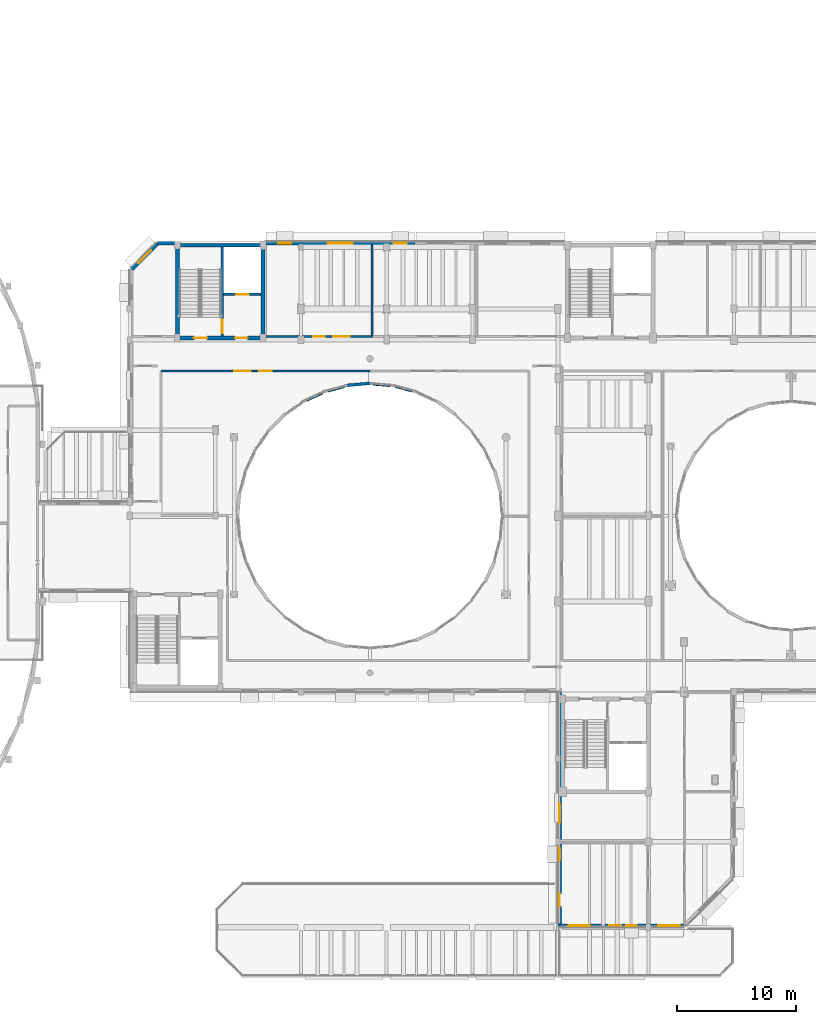
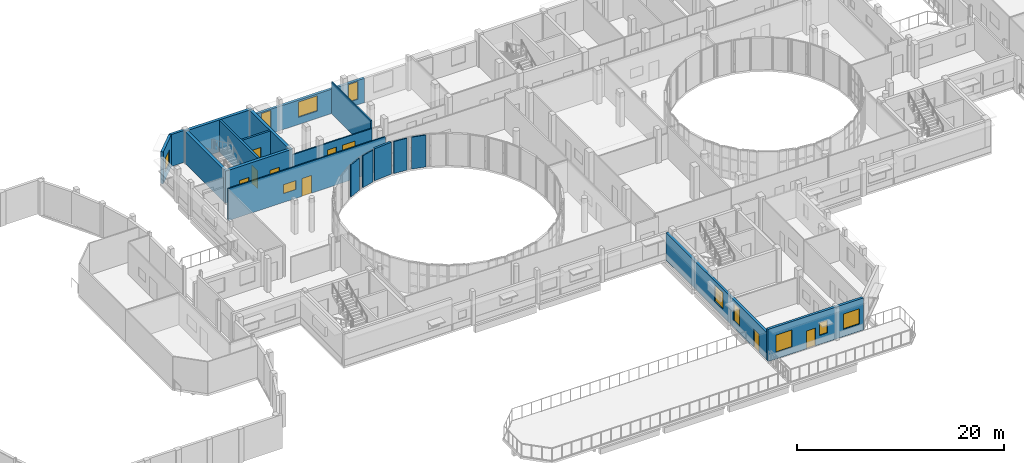
# One storey, part 67 of 92: 19 walls, 11 windows, 8 doors, 19 openings.
"""IFC4 building model written with IfcOpenShell, lengths in metres."""

from ifc_helpers import new_model, si_unit, direction, frame, frame_2d, origin, place, context, subcontext, project, spatial, rectangle, extrude, material, layer, layer_set, type_object, element, fill, save


model = new_model("IFC4")

# Units and contexts
model_context = context("Model", 3, precision=1e-05, world=origin(), true_north=direction((0.0, 1.0)))
body_context = subcontext(model_context, "Body", "Model", "MODEL_VIEW")
ifc_project = project(units=[si_unit("LENGTHUNIT", "METRE"), si_unit("AREAUNIT", "SQUARE_METRE"), si_unit("VOLUMEUNIT", "CUBIC_METRE"), si_unit("PLANEANGLEUNIT", "RADIAN"), si_unit("MASSUNIT", "GRAM", prefix="KILO")], contexts=[model_context])

# Site, building, storey
site_placement = place(None, origin())
site = spatial("IfcSite", under=ifc_project, at=site_placement, CompositionType="ELEMENT")
building_placement = place(site_placement, origin())
building = spatial("IfcBuilding", under=site, at=building_placement, Name="Kelanivale Promenade Academy", CompositionType="ELEMENT")
storey_placement = place(building_placement, frame((0.0, 0.0, 8.199951171875)))
storey = spatial("IfcBuildingStorey", under=building, at=storey_placement, Name="L02", CompositionType="ELEMENT", Elevation=8.199951171875)

# Wall, openings, doors
ifc_material_1 = material(Name="Concrete C40/50", Category="concrete")
ifc_layer_1 = layer(ifc_material_1, 0.330078125)
ifc_layer_set_1 = layer_set([ifc_layer_1], Name="Concrete C40/50")
wall_type_1 = type_object("IfcWallType", Name="CW-S1 Wall 330mm", PredefinedType="SHEAR", material=ifc_layer_set_1)
wall_1_placement = place(storey_placement, frame((47.034912109375, 71.75, 0.0), z_axis=(0.0, 0.0, 1.0), x_axis=(1.0, 0.0, 0.0)))
wall_1 = element("IfcWall", 1, at=wall_1_placement, inside=storey, type_object=wall_type_1, Name="CORE-4 RC shear wall S L02", PredefinedType="SHEAR", context=body_context, shape_type="SweptSolid", body=[
    extrude(rectangle(XDim=7.530029296875, YDim=0.330078125, at=frame_2d((3.76513671875, 0.0))), origin(), (0.0, 0.0, 1.0), 3.780029296875),
])
opening_1_placement = place(wall_1_placement, frame((5.014892578125, 0.0, 0.0)))
opening_1 = element("IfcOpeningElement", 2, at=opening_1_placement, cuts=wall_1, Name="Opening FD-CORE-4-LB-L02", PredefinedType="OPENING", context=body_context, shape_type="SweptSolid", body=[
    extrude(rectangle(XDim=1.050048828125, YDim=2.14990234375, at=frame_2d((0.52490234375, 1.074951171875))), frame((0.0, 0.175048828125, 0.0), z_axis=(0.0, -1.0, 0.0), x_axis=(1.0, 0.0, 0.0)), (0.0, 0.0, 1.0), 0.35009765625),
])
opening_2_placement = place(wall_1_placement, frame((1.56494140625, 0.0, 0.0)))
opening_2 = element("IfcOpeningElement", 3, at=opening_2_placement, cuts=wall_1, Name="Opening FD-CORE-4-ST-L02", PredefinedType="OPENING", context=body_context, shape_type="SweptSolid", body=[
    extrude(rectangle(XDim=1.10009765625, YDim=2.14990234375, at=frame_2d((0.550048828125, 1.074951171875))), frame((0.0, 0.175048828125, 0.0), z_axis=(0.0, -1.0, 0.0), x_axis=(1.0, 0.0, 0.0)), (0.0, 0.0, 1.0), 0.35009765625),
])
ifc_material_2 = material(Name="Fire-rated steel-core teak veneer", Category="steel")
door_type_1 = type_object("IfcDoorType", Name="DT-F01 Door 1100x2150", OperationType="NOTDEFINED", PredefinedType="DOOR", material=ifc_material_2)
door_1_placement = place(opening_2_placement, frame((1.10009765625, 0.0, 0.0), z_axis=(0.0, 0.0, 1.0), x_axis=(-1.0, 0.0, 0.0)))
door_1 = element("IfcDoor", 4, at=door_1_placement, inside=storey, type_object=door_type_1, Name="CORE-4 protected stair fire door L02", OperationType="SINGLE_SWING_LEFT", OverallHeight=2.14990234375, OverallWidth=1.10009765625, PredefinedType="DOOR", context=body_context, shape_type="SweptSolid", body=[
    extrude(rectangle(XDim=1.10009765625, YDim=2.14990234375, at=frame_2d((0.550048828125, 1.074951171875))), frame((0.0, 0.02490234375, 0.0), z_axis=(0.0, -1.0, 0.0), x_axis=(1.0, 0.0, 0.0)), (0.0, 0.0, 1.0), 0.050048828125),
])
fill(opening_2, door_1)
door_type_2 = type_object("IfcDoorType", Name="DT-F03 Door 1050x2150", OperationType="NOTDEFINED", PredefinedType="DOOR", material=ifc_material_2)
door_2_placement = place(opening_1_placement, origin())
door_2 = element("IfcDoor", 5, at=door_2_placement, inside=storey, type_object=door_type_2, Name="CORE-4 corridor-to-lobby fire door L02", OperationType="SINGLE_SWING_RIGHT", OverallHeight=2.14990234375, OverallWidth=1.050048828125, PredefinedType="DOOR", context=body_context, shape_type="SweptSolid", body=[
    extrude(rectangle(XDim=1.050048828125, YDim=2.14990234375, at=frame_2d((0.52490234375, 1.074951171875))), frame((0.0, 0.02490234375, 0.0), z_axis=(0.0, -1.0, 0.0), x_axis=(1.0, 0.0, 0.0)), (0.0, 0.0, 1.0), 0.050048828125),
])
fill(opening_1, door_2)

# Walls
wall_2_placement = place(storey_placement, frame((47.034912109375, 79.550048828125, 0.0), z_axis=(0.0, 0.0, 1.0), x_axis=(1.0, 0.0, 0.0)))
element("IfcWall", 6, at=wall_2_placement, inside=storey, type_object=wall_type_1, Name="CORE-4 RC shear wall N L02", PredefinedType="SHEAR", context=body_context, shape_type="SweptSolid", body=[
    extrude(rectangle(XDim=7.530029296875, YDim=0.330078125, at=frame_2d((3.76513671875, 0.0))), origin(), (0.0, 0.0, 1.0), 3.780029296875),
])
for number, where, z_axis, x_axis, name in (
    (7, (47.199951171875, 71.9150390625, 0.0), (0.0, 0.0, 1.0), (0.0, 1.0, 0.0), "CORE-4 RC shear wall W L02"),
    (8, (54.39990234375, 71.9150390625, 0.0), (0.0, 0.0, 1.0), (0.0, 1.0, 0.0), "CORE-4 RC shear wall E L02"),
):
    element("IfcWall", number, at=place(storey_placement, frame(where, z_axis=z_axis, x_axis=x_axis)), inside=storey, type_object=wall_type_1, Name=name, PredefinedType="SHEAR", context=body_context, shape_type="SweptSolid", body=[
        extrude(rectangle(XDim=7.469970703125, YDim=0.330078125, at=frame_2d((3.73486328125, 0.0))), origin(), (0.0, 0.0, 1.0), 3.780029296875),
    ])

# Wall, opening, door
ifc_layer_2 = layer(ifc_material_1, 0.22509765625)
ifc_layer_set_2 = layer_set([ifc_layer_2], Name="Concrete C40/50")
wall_type_2 = type_object("IfcWallType", Name="CW-S2 Wall 225mm", PredefinedType="SHEAR", material=ifc_layer_set_2)
wall_3_placement = place(storey_placement, frame((51.0849609375, 75.419921875, 0.0), z_axis=(0.0, 0.0, 1.0), x_axis=(1.0, 0.0, 0.0)))
wall_3 = element("IfcWall", 9, at=wall_3_placement, inside=storey, type_object=wall_type_2, Name="CORE-4 lift shaft front RC wall L02", PredefinedType="SHEAR", context=body_context, shape_type="SweptSolid", body=[
    extrude(rectangle(XDim=3.150146484375, YDim=0.22509765625, at=frame_2d((1.5751953125, 0.0))), origin(), (0.0, 0.0, 1.0), 3.780029296875),
])
opening_3_placement = place(wall_3_placement, frame((1.050048828125, 0.0, 0.0)))
opening_3 = element("IfcOpeningElement", 10, at=opening_3_placement, cuts=wall_3, Name="Opening LD-LF-P2-L02", PredefinedType="OPENING", context=body_context, shape_type="SweptSolid", body=[
    extrude(rectangle(XDim=1.050048828125, YDim=2.199951171875, at=frame_2d((0.52490234375, 1.10009765625))), frame((0.0, 0.12255859375, 0.0), z_axis=(0.0, -1.0, 0.0), x_axis=(1.0, 0.0, 0.0)), (0.0, 0.0, 1.0), 0.2451171875),
])
door_type_3 = type_object("IfcDoorType", Name="LD-PL1 Door 1050x2200", OperationType="NOTDEFINED", PredefinedType="DOOR", material=ifc_material_2)
door_3_placement = place(opening_3_placement, origin())
door_3 = element("IfcDoor", 11, at=door_3_placement, inside=storey, type_object=door_type_3, Name="Passenger lift landing door LD-LF-P2-L02", OperationType="SLIDING_TO_LEFT", OverallHeight=2.199951171875, OverallWidth=1.050048828125, PredefinedType="DOOR", context=body_context, shape_type="SweptSolid", body=[
    extrude(rectangle(XDim=1.050048828125, YDim=2.199951171875, at=frame_2d((0.52490234375, 1.10009765625))), frame((0.0, 0.02490234375, 0.0), z_axis=(0.0, -1.0, 0.0), x_axis=(1.0, 0.0, 0.0)), (0.0, 0.0, 1.0), 0.050048828125),
])
fill(opening_3, door_3)

ifc_layer_3 = layer(ifc_material_1, 0.219970703125)
ifc_layer_set_3 = layer_set([ifc_layer_3], Name="Concrete C40/50")
wall_type_3 = type_object("IfcWallType", Name="CW-S3 Wall 220mm", PredefinedType="SHEAR", material=ifc_layer_set_3)
wall_4_placement = place(storey_placement, frame((50.97509765625, 71.9150390625, 0.0), z_axis=(0.0, 0.0, 1.0), x_axis=(0.0, 1.0, 0.0)))
wall_4 = element("IfcWall", 12, at=wall_4_placement, inside=storey, type_object=wall_type_3, Name="CORE-4 stair-lobby dividing RC wall L02", PredefinedType="SHEAR", context=body_context, shape_type="SweptSolid", body=[
    extrude(rectangle(XDim=7.469970703125, YDim=0.219970703125, at=frame_2d((3.73486328125, 0.0))), origin(), (0.0, 0.0, 1.0), 3.780029296875),
])
opening_4_placement = place(wall_4_placement, frame((0.25, 0.0, 0.0)))
opening_4 = element("IfcOpeningElement", 13, at=opening_4_placement, cuts=wall_4, Name="Opening FD-CORE-4-SL-L02", PredefinedType="OPENING", context=body_context, shape_type="SweptSolid", body=[
    extrude(rectangle(XDim=1.10009765625, YDim=2.14990234375, at=frame_2d((0.550048828125, 1.074951171875))), frame((0.0, 0.1201171875, 0.0), z_axis=(0.0, -1.0, 0.0), x_axis=(1.0, 0.0, 0.0)), (0.0, 0.0, 1.0), 0.239990234375),
])
door_4_placement = place(opening_4_placement, origin())
door_4 = element("IfcDoor", 14, at=door_4_placement, inside=storey, type_object=door_type_1, Name="CORE-4 lobby-to-stair fire door L02", OperationType="SINGLE_SWING_LEFT", OverallHeight=2.14990234375, OverallWidth=1.10009765625, PredefinedType="DOOR", context=body_context, shape_type="SweptSolid", body=[
    extrude(rectangle(XDim=1.10009765625, YDim=2.14990234375, at=frame_2d((0.550048828125, 1.074951171875))), frame((0.0, 0.02490234375, 0.0), z_axis=(0.0, -1.0, 0.0), x_axis=(1.0, 0.0, 0.0)), (0.0, 0.0, 1.0), 0.050048828125),
])
fill(opening_4, door_4)

# Wall, openings, windows
ifc_material_3 = material(Name="Insulated ivory stucco masonry wall 280 mm", Category="masonry")
ifc_layer_4 = layer(ifc_material_3, 0.280029296875)
ifc_layer_set_4 = layer_set([ifc_layer_4], Name="Insulated ivory stucco masonry wall 280 mm")
wall_type_4 = type_object("IfcWallType", Name="EW-02 Wall 280mm", PredefinedType="SOLIDWALL", material=ifc_layer_set_4)
wall_5_placement = place(storey_placement, frame((67.199951171875, 79.7099609375, 0.0), z_axis=(0.0, 0.0, 1.0), x_axis=(-1.0, 0.0, 0.0)))
wall_5 = element("IfcWall", 15, at=wall_5_placement, inside=storey, type_object=wall_type_4, Name="L02 exterior facade wall EW-L02-ORT-0436", PredefinedType="SOLIDWALL", context=body_context, shape_type="SweptSolid", body=[
    extrude(rectangle(XDim=12.635009765625, YDim=0.280029296875, at=frame_2d((6.3173828125, 0.0))), origin(), (0.0, 0.0, 1.0), 2.875),
])
opening_5_placement = place(wall_5_placement, frame((0.7060546875, 0.0, 0.64990234375)))
opening_5 = element("IfcOpeningElement", 16, at=opening_5_placement, cuts=wall_5, Name="Opening WT-17", PredefinedType="OPENING", context=body_context, shape_type="SweptSolid", body=[
    extrude(rectangle(XDim=1.10009765625, YDim=2.10009765625, at=frame_2d((0.550048828125, 1.050048828125))), frame((0.0, 0.14990234375, 0.0), z_axis=(0.0, -1.0, 0.0), x_axis=(1.0, 0.0, 0.0)), (0.0, 0.0, 1.0), 0.300048828125),
])
opening_6_placement = place(wall_5_placement, frame((5.26806640625, 0.0, 0.85009765625)))
opening_6 = element("IfcOpeningElement", 17, at=opening_6_placement, cuts=wall_5, Name="Opening WT-02", PredefinedType="OPENING", context=body_context, shape_type="SweptSolid", body=[
    extrude(rectangle(XDim=2.10009765625, YDim=1.800048828125, at=frame_2d((1.050048828125, 0.89990234375))), frame((0.0, 0.14990234375, 0.0), z_axis=(0.0, -1.0, 0.0), x_axis=(1.0, 0.0, 0.0)), (0.0, 0.0, 1.0), 0.300048828125),
])
opening_7_placement = place(wall_5_placement, frame((10.428955078125, 0.0, 0.64990234375)))
opening_7 = element("IfcOpeningElement", 18, at=opening_7_placement, cuts=wall_5, Name="Opening WT-17", PredefinedType="OPENING", context=body_context, shape_type="SweptSolid", body=[
    extrude(rectangle(XDim=1.10009765625, YDim=2.10009765625, at=frame_2d((0.550048828125, 1.050048828125))), frame((0.0, 0.14990234375, 0.0), z_axis=(0.0, -1.0, 0.0), x_axis=(1.0, 0.0, 0.0)), (0.0, 0.0, 1.0), 0.300048828125),
])
ifc_material_4 = material(Name="Bronze anodised aluminium frame with low-E laminated glass", Category="aluminium")
window_type_1 = type_object("IfcWindowType", Name="WT-02 Window 2100x1800", PartitioningType="SINGLE_PANEL", PredefinedType="WINDOW", material=ifc_material_4)
window_1_placement = place(opening_6_placement, origin())
window_1 = element("IfcWindow", 19, at=window_1_placement, inside=storey, type_object=window_type_1, Name="Window WT-02", OverallHeight=1.800048828125, OverallWidth=2.10009765625, PartitioningType="SINGLE_PANEL", PredefinedType="WINDOW", context=body_context, shape_type="SweptSolid", body=[
    extrude(rectangle(XDim=2.10009765625, YDim=1.800048828125, at=frame_2d((1.050048828125, 0.89990234375))), frame((0.0, 0.030029296875, 0.0), z_axis=(0.0, -1.0, 0.0), x_axis=(1.0, 0.0, 0.0)), (0.0, 0.0, 1.0), 0.06005859375),
])
fill(opening_6, window_1)
window_type_2 = type_object("IfcWindowType", Name="WT-17 Window 1100x2100", PartitioningType="SINGLE_PANEL", PredefinedType="WINDOW", material=ifc_material_4)
window_2_placement = place(opening_5_placement, origin())
window_2 = element("IfcWindow", 20, at=window_2_placement, inside=storey, type_object=window_type_2, Name="Window WT-17", OverallHeight=2.10009765625, OverallWidth=1.10009765625, PartitioningType="SINGLE_PANEL", PredefinedType="WINDOW", context=body_context, shape_type="SweptSolid", body=[
    extrude(rectangle(XDim=1.10009765625, YDim=2.10009765625, at=frame_2d((0.550048828125, 1.050048828125))), frame((0.0, 0.030029296875, 0.0), z_axis=(0.0, -1.0, 0.0), x_axis=(1.0, 0.0, 0.0)), (0.0, 0.0, 1.0), 0.06005859375),
])
fill(opening_5, window_2)
window_3_placement = place(opening_7_placement, origin())
window_3 = element("IfcWindow", 21, at=window_3_placement, inside=storey, type_object=window_type_2, Name="Window WT-17", OverallHeight=2.10009765625, OverallWidth=1.10009765625, PartitioningType="SINGLE_PANEL", PredefinedType="WINDOW", context=body_context, shape_type="SweptSolid", body=[
    extrude(rectangle(XDim=1.10009765625, YDim=2.10009765625, at=frame_2d((0.550048828125, 1.050048828125))), frame((0.0, 0.030029296875, 0.0), z_axis=(0.0, -1.0, 0.0), x_axis=(1.0, 0.0, 0.0)), (0.0, 0.0, 1.0), 0.06005859375),
])
fill(opening_7, window_3)

# Wall
wall_6_placement = place(storey_placement, frame((47.034912109375, 79.7099609375, 0.0), z_axis=(0.0, 0.0, 1.0), x_axis=(-1.0, 0.0, 0.0)))
element("IfcWall", 22, at=wall_6_placement, inside=storey, type_object=wall_type_4, Name="L02 exterior facade wall EW-L02-ORT-0437", PredefinedType="SOLIDWALL", context=body_context, shape_type="SweptSolid", body=[
    extrude(rectangle(XDim=1.52294921875, YDim=0.280029296875, at=frame_2d((0.761474609375, 0.0))), origin(), (0.0, 0.0, 1.0), 3.780029296875),
])

# Wall, opening, window
wall_7_placement = place(storey_placement, frame((45.52392578125, 79.666015625, 0.0), z_axis=(0.0, 0.0, 1.0), x_axis=(-0.707066445384, -0.707147114688, 0.0)))
wall_7 = element("IfcWall", 23, at=wall_7_placement, inside=storey, type_object=wall_type_4, Name="L02 exterior facade wall EW-L02-ORT-0438", PredefinedType="SOLIDWALL", context=body_context, shape_type="SweptSolid", body=[
    extrude(rectangle(XDim=3.0263671875, YDim=0.280029296875, at=frame_2d((1.51318359375, 0.0))), origin(), (0.0, 0.0, 1.0), 3.780029296875),
])
opening_8_placement = place(wall_7_placement, frame((0.762939453125, 0.0, 0.85009765625)))
opening_8 = element("IfcOpeningElement", 24, at=opening_8_placement, cuts=wall_7, Name="Opening WT-04", PredefinedType="OPENING", context=body_context, shape_type="SweptSolid", body=[
    extrude(rectangle(XDim=1.5, YDim=1.64990234375, at=frame_2d((0.75, 0.824951171875))), frame((0.0, 0.14990234375, 0.0), z_axis=(0.0, -1.0, 0.0), x_axis=(1.0, 0.0, 0.0)), (0.0, 0.0, 1.0), 0.300048828125),
])
window_type_3 = type_object("IfcWindowType", Name="WT-04 Window 1500x1650", PartitioningType="SINGLE_PANEL", PredefinedType="WINDOW", material=ifc_material_4)
window_4_placement = place(opening_8_placement, origin())
window_4 = element("IfcWindow", 25, at=window_4_placement, inside=storey, type_object=window_type_3, Name="Window WT-04", OverallHeight=1.64990234375, OverallWidth=1.5, PartitioningType="SINGLE_PANEL", PredefinedType="WINDOW", context=body_context, shape_type="SweptSolid", body=[
    extrude(rectangle(XDim=1.5, YDim=1.64990234375, at=frame_2d((0.75, 0.824951171875))), frame((0.0, 0.030029296875, 0.0), z_axis=(0.0, -1.0, 0.0), x_axis=(1.0, 0.0, 0.0)), (0.0, 0.0, 1.0), 0.06005859375),
])
fill(opening_8, window_4)

# Wall, openings, door, windows
wall_8_placement = place(storey_placement, frame((79.340087890625, 42.0, 0.0), z_axis=(0.0, 0.0, 1.0), x_axis=(0.0, -1.0, 0.0)))
wall_8 = element("IfcWall", 26, at=wall_8_placement, inside=storey, type_object=wall_type_4, Name="L02 exterior facade wall EW-L02-ORT-0446", PredefinedType="SOLIDWALL", context=body_context, shape_type="SweptSolid", body=[
    extrude(rectangle(XDim=19.52001953125, YDim=0.280029296875, at=frame_2d((9.760009765625, 0.0))), origin(), (0.0, 0.0, 1.0), 3.22509765625),
])
opening_9_placement = place(wall_8_placement, frame((16.949951171875, 0.0, 0.0)))
opening_9 = element("IfcOpeningElement", 27, at=opening_9_placement, cuts=wall_8, Name="Opening XD-201", PredefinedType="OPENING", context=body_context, shape_type="SweptSolid", body=[
    extrude(rectangle(XDim=1.10009765625, YDim=2.14990234375, at=frame_2d((0.550048828125, 1.074951171875))), frame((0.0, 0.14990234375, 0.0), z_axis=(0.0, -1.0, 0.0), x_axis=(1.0, 0.0, 0.0)), (0.0, 0.0, 1.0), 0.300048828125),
])
opening_10_placement = place(wall_8_placement, frame((9.385009765625, 0.0, 0.85009765625)))
opening_10 = element("IfcOpeningElement", 28, at=opening_10_placement, cuts=wall_8, Name="Opening WT-16", PredefinedType="OPENING", context=body_context, shape_type="SweptSolid", body=[
    extrude(rectangle(XDim=1.64990234375, YDim=1.949951171875, at=frame_2d((0.824951171875, 0.97509765625))), frame((0.0, 0.14990234375, 0.0), z_axis=(0.0, -1.0, 0.0), x_axis=(1.0, 0.0, 0.0)), (0.0, 0.0, 1.0), 0.300048828125),
])
opening_11_placement = place(wall_8_placement, frame((13.114013671875, 0.0, 0.75)))
opening_11 = element("IfcOpeningElement", 29, at=opening_11_placement, cuts=wall_8, Name="Opening WT-17", PredefinedType="OPENING", context=body_context, shape_type="SweptSolid", body=[
    extrude(rectangle(XDim=1.10009765625, YDim=2.10009765625, at=frame_2d((0.550048828125, 1.050048828125))), frame((0.0, 0.14990234375, 0.0), z_axis=(0.0, -1.0, 0.0), x_axis=(1.0, 0.0, 0.0)), (0.0, 0.0, 1.0), 0.300048828125),
])
ifc_material_5 = material(Name="Bronze anodised aluminium and laminated glass", Category="aluminium")
door_type_4 = type_object("IfcDoorType", Name="DT-X07 Door 1100x2150", OperationType="NOTDEFINED", PredefinedType="DOOR", material=ifc_material_5)
door_5_placement = place(opening_9_placement, frame((1.10009765625, 0.0, 0.0), z_axis=(0.0, 0.0, 1.0), x_axis=(-1.0, 0.0, 0.0)))
door_5 = element("IfcDoor", 30, at=door_5_placement, inside=storey, type_object=door_type_4, Name="L02 Promenade Play Deck door XD-201", OperationType="SINGLE_SWING_LEFT", OverallHeight=2.14990234375, OverallWidth=1.10009765625, PredefinedType="DOOR", context=body_context, shape_type="SweptSolid", body=[
    extrude(rectangle(XDim=1.10009765625, YDim=2.14990234375, at=frame_2d((0.550048828125, 1.074951171875))), frame((0.0, 0.02490234375, 0.0), z_axis=(0.0, -1.0, 0.0), x_axis=(1.0, 0.0, 0.0)), (0.0, 0.0, 1.0), 0.050048828125),
])
fill(opening_9, door_5)
window_type_4 = type_object("IfcWindowType", Name="WT-16 Window 1650x1950", PartitioningType="SINGLE_PANEL", PredefinedType="WINDOW", material=ifc_material_4)
window_5_placement = place(opening_10_placement, origin())
window_5 = element("IfcWindow", 31, at=window_5_placement, inside=storey, type_object=window_type_4, Name="Window WT-16", OverallHeight=1.949951171875, OverallWidth=1.64990234375, PartitioningType="SINGLE_PANEL", PredefinedType="WINDOW", context=body_context, shape_type="SweptSolid", body=[
    extrude(rectangle(XDim=1.64990234375, YDim=1.949951171875, at=frame_2d((0.824951171875, 0.97509765625))), frame((0.0, 0.030029296875, 0.0), z_axis=(0.0, -1.0, 0.0), x_axis=(1.0, 0.0, 0.0)), (0.0, 0.0, 1.0), 0.06005859375),
])
fill(opening_10, window_5)
window_6_placement = place(opening_11_placement, origin())
window_6 = element("IfcWindow", 32, at=window_6_placement, inside=storey, type_object=window_type_2, Name="Window WT-17", OverallHeight=2.10009765625, OverallWidth=1.10009765625, PartitioningType="SINGLE_PANEL", PredefinedType="WINDOW", context=body_context, shape_type="SweptSolid", body=[
    extrude(rectangle(XDim=1.10009765625, YDim=2.10009765625, at=frame_2d((0.550048828125, 1.050048828125))), frame((0.0, 0.030029296875, 0.0), z_axis=(0.0, -1.0, 0.0), x_axis=(1.0, 0.0, 0.0)), (0.0, 0.0, 1.0), 0.06005859375),
])
fill(opening_11, window_6)

wall_9_placement = place(storey_placement, frame((79.199951171875, 22.340087890625, 0.0), z_axis=(0.0, 0.0, 1.0), x_axis=(1.0, 0.0, 0.0)))
wall_9 = element("IfcWall", 33, at=wall_9_placement, inside=storey, type_object=wall_type_4, Name="L02 exterior facade wall EW-L02-ORT-0447", PredefinedType="SOLIDWALL", context=body_context, shape_type="SweptSolid", body=[
    extrude(rectangle(XDim=10.654052734375, YDim=0.280029296875, at=frame_2d((5.3271484375, 0.0))), origin(), (0.0, 0.0, 1.0), 3.780029296875),
])
opening_12_placement = place(wall_9_placement, frame((4.300048828125, 0.0, 0.0)))
opening_12 = element("IfcOpeningElement", 34, at=opening_12_placement, cuts=wall_9, Name="Opening XD-204", PredefinedType="OPENING", context=body_context, shape_type="SweptSolid", body=[
    extrude(rectangle(XDim=1.0, YDim=2.10009765625, at=frame_2d((0.5, 1.050048828125))), frame((0.0, 0.14990234375, 0.0), z_axis=(0.0, -1.0, 0.0), x_axis=(1.0, 0.0, 0.0)), (0.0, 0.0, 1.0), 0.300048828125),
])
opening_13_placement = place(wall_9_placement, frame((0.90087890625, 0.0, 0.75)))
opening_13 = element("IfcOpeningElement", 35, at=opening_13_placement, cuts=wall_9, Name="Opening WT-32", PredefinedType="OPENING", context=body_context, shape_type="SweptSolid", body=[
    extrude(rectangle(XDim=1.75, YDim=2.050048828125, at=frame_2d((0.875, 1.02490234375))), frame((0.0, 0.14990234375, 0.0), z_axis=(0.0, -1.0, 0.0), x_axis=(1.0, 0.0, 0.0)), (0.0, 0.0, 1.0), 0.300048828125),
])
opening_14_placement = place(wall_9_placement, frame((5.72705078125, 0.0, 1.050048828125)))
opening_14 = element("IfcOpeningElement", 36, at=opening_14_placement, cuts=wall_9, Name="Opening WT-06", PredefinedType="OPENING", context=body_context, shape_type="SweptSolid", body=[
    extrude(rectangle(XDim=0.89990234375, YDim=1.5, at=frame_2d((0.449951171875, 0.75))), frame((0.0, 0.14990234375, 0.0), z_axis=(0.0, -1.0, 0.0), x_axis=(1.0, 0.0, 0.0)), (0.0, 0.0, 1.0), 0.300048828125),
])
opening_15_placement = place(wall_9_placement, frame((8.427978515625, 0.0, 0.85009765625)))
opening_15 = element("IfcOpeningElement", 37, at=opening_15_placement, cuts=wall_9, Name="Opening WT-01", PredefinedType="OPENING", context=body_context, shape_type="SweptSolid", body=[
    extrude(rectangle(XDim=1.800048828125, YDim=1.800048828125, at=frame_2d((0.89990234375, 0.89990234375))), frame((0.0, 0.14990234375, 0.0), z_axis=(0.0, -1.0, 0.0), x_axis=(1.0, 0.0, 0.0)), (0.0, 0.0, 1.0), 0.300048828125),
])
door_type_5 = type_object("IfcDoorType", Name="DT-X08 Door 1000x2100", OperationType="NOTDEFINED", PredefinedType="DOOR", material=ifc_material_5)
door_6_placement = place(opening_12_placement, frame((1.0, 0.0, 0.0), z_axis=(0.0, 0.0, 1.0), x_axis=(-1.0, 0.0, 0.0)))
door_6 = element("IfcDoor", 38, at=door_6_placement, inside=storey, type_object=door_type_5, Name="L02 South Link Play Deck door XD-204", OperationType="SINGLE_SWING_LEFT", OverallHeight=2.10009765625, OverallWidth=1.0, PredefinedType="DOOR", context=body_context, shape_type="SweptSolid", body=[
    extrude(rectangle(XDim=1.0, YDim=2.10009765625, at=frame_2d((0.5, 1.050048828125))), frame((0.0, 0.02490234375, 0.0), z_axis=(0.0, -1.0, 0.0), x_axis=(1.0, 0.0, 0.0)), (0.0, 0.0, 1.0), 0.050048828125),
])
fill(opening_12, door_6)
window_type_5 = type_object("IfcWindowType", Name="WT-01 Window 1800x1800", PartitioningType="SINGLE_PANEL", PredefinedType="WINDOW", material=ifc_material_4)
window_7_placement = place(opening_15_placement, origin())
window_7 = element("IfcWindow", 39, at=window_7_placement, inside=storey, type_object=window_type_5, Name="Window WT-01", OverallHeight=1.800048828125, OverallWidth=1.800048828125, PartitioningType="SINGLE_PANEL", PredefinedType="WINDOW", context=body_context, shape_type="SweptSolid", body=[
    extrude(rectangle(XDim=1.800048828125, YDim=1.800048828125, at=frame_2d((0.89990234375, 0.89990234375))), frame((0.0, 0.030029296875, 0.0), z_axis=(0.0, -1.0, 0.0), x_axis=(1.0, 0.0, 0.0)), (0.0, 0.0, 1.0), 0.06005859375),
])
fill(opening_15, window_7)
window_type_6 = type_object("IfcWindowType", Name="WT-06 Window 900x1500", PartitioningType="SINGLE_PANEL", PredefinedType="WINDOW", material=ifc_material_4)
window_8_placement = place(opening_14_placement, origin())
window_8 = element("IfcWindow", 40, at=window_8_placement, inside=storey, type_object=window_type_6, Name="Window WT-06", OverallHeight=1.5, OverallWidth=0.89990234375, PartitioningType="SINGLE_PANEL", PredefinedType="WINDOW", context=body_context, shape_type="SweptSolid", body=[
    extrude(rectangle(XDim=0.89990234375, YDim=1.5, at=frame_2d((0.449951171875, 0.75))), frame((0.0, 0.030029296875, 0.0), z_axis=(0.0, -1.0, 0.0), x_axis=(1.0, 0.0, 0.0)), (0.0, 0.0, 1.0), 0.06005859375),
])
fill(opening_14, window_8)
window_type_7 = type_object("IfcWindowType", Name="WT-32 Window 1750x2050", PartitioningType="SINGLE_PANEL", PredefinedType="WINDOW", material=ifc_material_4)
window_9_placement = place(opening_13_placement, origin())
window_9 = element("IfcWindow", 41, at=window_9_placement, inside=storey, type_object=window_type_7, Name="Window WT-32", OverallHeight=2.050048828125, OverallWidth=1.75, PartitioningType="SINGLE_PANEL", PredefinedType="WINDOW", context=body_context, shape_type="SweptSolid", body=[
    extrude(rectangle(XDim=1.75, YDim=2.050048828125, at=frame_2d((0.875, 1.02490234375))), frame((0.0, 0.030029296875, 0.0), z_axis=(0.0, -1.0, 0.0), x_axis=(1.0, 0.0, 0.0)), (0.0, 0.0, 1.0), 0.06005859375),
])
fill(opening_13, window_9)

# Walls
ifc_material_6 = material(Name="Insulated courtyard stucco masonry wall 240 mm", Category="masonry")
ifc_layer_5 = layer(ifc_material_6, 0.239990234375)
ifc_layer_set_5 = layer_set([ifc_layer_5], Name="Insulated courtyard stucco masonry wall 240 mm")
wall_type_5 = type_object("IfcWallType", Name="EW-04 Wall 240mm", PredefinedType="SOLIDWALL", material=ifc_layer_set_5)
wall_10_placement = place(storey_placement, frame((63.4130859375, 67.94091796875, 0.0), z_axis=(0.0, 0.0, 1.0), x_axis=(-0.996221008334, -0.0868544907, 0.0)))
element("IfcWall", 42, at=wall_10_placement, inside=storey, type_object=wall_type_5, Name="L02 round courtyard stucco wall", PredefinedType="SOLIDWALL", context=body_context, shape_type="SweptSolid", body=[
    extrude(rectangle(XDim=1.967529296875, YDim=0.239990234375, at=frame_2d((0.98388671875, 0.0))), origin(), (0.0, 0.0, 1.0), 3.780029296875),
])
ifc_material_7 = material(Name="Acoustic double-stud gypsum board partition 140 mm", Category="masonry")
ifc_layer_6 = layer(ifc_material_7, 0.139892578125)
ifc_layer_set_6 = layer_set([ifc_layer_6], Name="Acoustic double-stud gypsum board partition 140 mm")
wall_type_6 = type_object("IfcWallType", Name="IW-04 Wall 140mm", PredefinedType="PARTITIONING", material=ifc_layer_set_6)
wall_11_placement = place(storey_placement, frame((58.09912109375, 66.49609375, 0.0), z_axis=(0.0, 0.0, 1.0), x_axis=(0.906002021568, 0.423273359561, 0.0)))
element("IfcWall", 43, at=wall_11_placement, inside=storey, type_object=wall_type_6, Name="L02 partition Secondary Classroom West B", PredefinedType="PARTITIONING", context=body_context, shape_type="SweptSolid", body=[
    extrude(rectangle(XDim=1.41259765625, YDim=0.139892578125, at=frame_2d((0.706298828125, 0.0))), origin(), (0.0, 0.0, 1.0), 3.775146484375),
])
wall_12_placement = place(storey_placement, frame((59.864013671875, 67.27001953125, 0.0), z_axis=(0.0, 0.0, 1.0), x_axis=(0.966013611766, 0.258491202719, 0.0)))
element("IfcWall", 44, at=wall_12_placement, inside=storey, type_object=wall_type_6, Name="L02 partition Secondary Classroom West B", PredefinedType="PARTITIONING", context=body_context, shape_type="SweptSolid", body=[
    extrude(rectangle(XDim=1.412109375, YDim=0.139892578125, at=frame_2d((0.7060546875, 0.0))), origin(), (0.0, 0.0, 1.0), 3.775146484375),
])

# Wall, openings, door, window
wall_13_placement = place(storey_placement, frame((63.3701171875, 68.969970703125, 0.0), z_axis=(0.0, 0.0, 1.0), x_axis=(-1.0, 0.0, 0.0)))
wall_13 = element("IfcWall", 45, at=wall_13_placement, inside=storey, type_object=wall_type_6, Name="L02 partition Secondary Classroom West B", PredefinedType="PARTITIONING", context=body_context, shape_type="SweptSolid", body=[
    extrude(rectangle(XDim=17.5400390625, YDim=0.139892578125, at=frame_2d((8.77001953125, 0.0))), origin(), (0.0, 0.0, 1.0), 3.775146484375),
])
opening_16_placement = place(wall_13_placement, frame((8.2451171875, 0.0, 0.0)))
opening_16 = element("IfcOpeningElement", 46, at=opening_16_placement, cuts=wall_13, Name="Opening ID-L02-121", PredefinedType="OPENING", context=body_context, shape_type="SweptSolid", body=[
    extrude(rectangle(XDim=1.050048828125, YDim=2.10009765625, at=frame_2d((0.52490234375, 1.050048828125))), frame((0.0, 0.080078125, 0.0), z_axis=(0.0, -1.0, 0.0), x_axis=(1.0, 0.0, 0.0)), (0.0, 0.0, 1.0), 0.159912109375),
])
opening_17_placement = place(wall_13_placement, frame((9.9951171875, 0.0, 1.050048828125)))
opening_17 = element("IfcOpeningElement", 47, at=opening_17_placement, cuts=wall_13, Name="Opening WT-I03", PredefinedType="OPENING", context=body_context, shape_type="SweptSolid", body=[
    extrude(rectangle(XDim=1.39990234375, YDim=1.050048828125, at=frame_2d((0.699951171875, 0.52490234375))), frame((0.0, 0.080078125, 0.0), z_axis=(0.0, -1.0, 0.0), x_axis=(1.0, 0.0, 0.0)), (0.0, 0.0, 1.0), 0.159912109375),
])
ifc_material_8 = material(Name="Solid-core tropical teak timber", Category="wood")
door_type_6 = type_object("IfcDoorType", Name="DT-I02 Door 1050x2100", OperationType="NOTDEFINED", PredefinedType="DOOR", material=ifc_material_8)
door_7_placement = place(opening_16_placement, origin())
door_7 = element("IfcDoor", 48, at=door_7_placement, inside=storey, type_object=door_type_6, Name="Secondary Classroom West B door ID-L02-121", OperationType="SINGLE_SWING_LEFT", OverallHeight=2.10009765625, OverallWidth=1.050048828125, PredefinedType="DOOR", context=body_context, shape_type="SweptSolid", body=[
    extrude(rectangle(XDim=1.050048828125, YDim=2.10009765625, at=frame_2d((0.52490234375, 1.050048828125))), frame((0.0, 0.02490234375, 0.0), z_axis=(0.0, -1.0, 0.0), x_axis=(1.0, 0.0, 0.0)), (0.0, 0.0, 1.0), 0.050048828125),
])
fill(opening_16, door_7)
window_type_8 = type_object("IfcWindowType", Name="WT-I03 Window 1400x1050", PartitioningType="SINGLE_PANEL", PredefinedType="WINDOW", material=ifc_material_4)
window_10_placement = place(opening_17_placement, origin())
window_10 = element("IfcWindow", 49, at=window_10_placement, inside=storey, type_object=window_type_8, Name="Interior observation window WT-I03", OverallHeight=1.050048828125, OverallWidth=1.39990234375, PartitioningType="SINGLE_PANEL", PredefinedType="WINDOW", context=body_context, shape_type="SweptSolid", body=[
    extrude(rectangle(XDim=1.39990234375, YDim=1.050048828125, at=frame_2d((0.699951171875, 0.52490234375))), frame((0.0, 0.030029296875, 0.0), z_axis=(0.0, -1.0, 0.0), x_axis=(1.0, 0.0, 0.0)), (0.0, 0.0, 1.0), 0.06005859375),
])
fill(opening_17, window_10)

# Walls
wall_14_placement = place(storey_placement, frame((63.677001953125, 67.845947265625, 0.0), z_axis=(0.0, 0.0, 1.0), x_axis=(0.99623071841, -0.086743044083, 0.0)))
element("IfcWall", 50, at=wall_14_placement, inside=storey, type_object=wall_type_6, Name="L02 partition Design Workshop Courtyard North", PredefinedType="PARTITIONING", context=body_context, shape_type="SweptSolid", body=[
    extrude(rectangle(XDim=1.393310546875, YDim=0.139892578125, at=frame_2d((0.69677734375, 0.0))), origin(), (0.0, 0.0, 1.0), 3.775146484375),
])
wall_15_placement = place(storey_placement, frame((65.572021484375, 67.635009765625, 0.0), z_axis=(0.0, 0.0, 1.0), x_axis=(0.966013611766, -0.258491202719, 0.0)))
element("IfcWall", 51, at=wall_15_placement, inside=storey, type_object=wall_type_6, Name="L02 partition Design Workshop Courtyard North", PredefinedType="PARTITIONING", context=body_context, shape_type="SweptSolid", body=[
    extrude(rectangle(XDim=1.412109375, YDim=0.139892578125, at=frame_2d((0.7060546875, 0.0))), origin(), (0.0, 0.0, 1.0), 3.775146484375),
])

# Wall, openings, door, window
wall_16_placement = place(storey_placement, frame((54.6298828125, 71.8798828125, 0.0), z_axis=(0.0, 0.0, 1.0), x_axis=(1.0, 0.0, 0.0)))
wall_16 = element("IfcWall", 52, at=wall_16_placement, inside=storey, type_object=wall_type_6, Name="L02 partition Secondary Classroom North 1", PredefinedType="PARTITIONING", context=body_context, shape_type="SweptSolid", body=[
    extrude(rectangle(XDim=8.940185546875, YDim=0.139892578125, at=frame_2d((4.47021484375, 0.0))), origin(), (0.0, 0.0, 1.0), 2.925048828125),
])
opening_18_placement = place(wall_16_placement, frame((3.97998046875, 0.0, 0.0)))
opening_18 = element("IfcOpeningElement", 53, at=opening_18_placement, cuts=wall_16, Name="Opening ID-L02-133", PredefinedType="OPENING", context=body_context, shape_type="SweptSolid", body=[
    extrude(rectangle(XDim=0.97998046875, YDim=2.1201171875, at=frame_2d((0.489990234375, 1.06005859375))), frame((0.0, 0.080078125, 0.0), z_axis=(0.0, -1.0, 0.0), x_axis=(1.0, 0.0, 0.0)), (0.0, 0.0, 1.0), 0.159912109375),
])
opening_19_placement = place(wall_16_placement, frame((5.659912109375, 0.0, 1.050048828125)))
opening_19 = element("IfcOpeningElement", 54, at=opening_19_placement, cuts=wall_16, Name="Opening WT-I03", PredefinedType="OPENING", context=body_context, shape_type="SweptSolid", body=[
    extrude(rectangle(XDim=1.39990234375, YDim=1.050048828125, at=frame_2d((0.699951171875, 0.52490234375))), frame((0.0, 0.080078125, 0.0), z_axis=(0.0, -1.0, 0.0), x_axis=(1.0, 0.0, 0.0)), (0.0, 0.0, 1.0), 0.159912109375),
])
door_type_7 = type_object("IfcDoorType", Name="DT-I14 Door 980x2120", OperationType="NOTDEFINED", PredefinedType="DOOR", material=ifc_material_8)
door_8_placement = place(opening_18_placement, origin())
door_8 = element("IfcDoor", 55, at=door_8_placement, inside=storey, type_object=door_type_7, Name="Secondary Classroom North 1 door ID-L02-133", OperationType="SINGLE_SWING_RIGHT", OverallHeight=2.1201171875, OverallWidth=0.97998046875, PredefinedType="DOOR", context=body_context, shape_type="SweptSolid", body=[
    extrude(rectangle(XDim=0.97998046875, YDim=2.1201171875, at=frame_2d((0.489990234375, 1.06005859375))), frame((0.0, 0.02490234375, 0.0), z_axis=(0.0, -1.0, 0.0), x_axis=(1.0, 0.0, 0.0)), (0.0, 0.0, 1.0), 0.050048828125),
])
fill(opening_18, door_8)
window_11_placement = place(opening_19_placement, origin())
window_11 = element("IfcWindow", 56, at=window_11_placement, inside=storey, type_object=window_type_8, Name="Interior observation window WT-I03", OverallHeight=1.050048828125, OverallWidth=1.39990234375, PartitioningType="SINGLE_PANEL", PredefinedType="WINDOW", context=body_context, shape_type="SweptSolid", body=[
    extrude(rectangle(XDim=1.39990234375, YDim=1.050048828125, at=frame_2d((0.699951171875, 0.52490234375))), frame((0.0, 0.030029296875, 0.0), z_axis=(0.0, -1.0, 0.0), x_axis=(1.0, 0.0, 0.0)), (0.0, 0.0, 1.0), 0.06005859375),
])
fill(opening_19, window_11)

# Wall
wall_17_placement = place(storey_placement, frame((63.570068359375, 71.947998046875, 0.0), z_axis=(0.0, 0.0, 1.0), x_axis=(0.0, 1.0, 0.0)))
element("IfcWall", 57, at=wall_17_placement, inside=storey, type_object=wall_type_6, Name="L02 partition Secondary Classroom North 1", PredefinedType="PARTITIONING", context=body_context, shape_type="SweptSolid", body=[
    extrude(rectangle(XDim=7.6240234375, YDim=0.139892578125, at=frame_2d((3.81201171875, 0.0))), origin(), (0.0, 0.0, 1.0), 3.775146484375),
])

save(model, "model.ifc")
